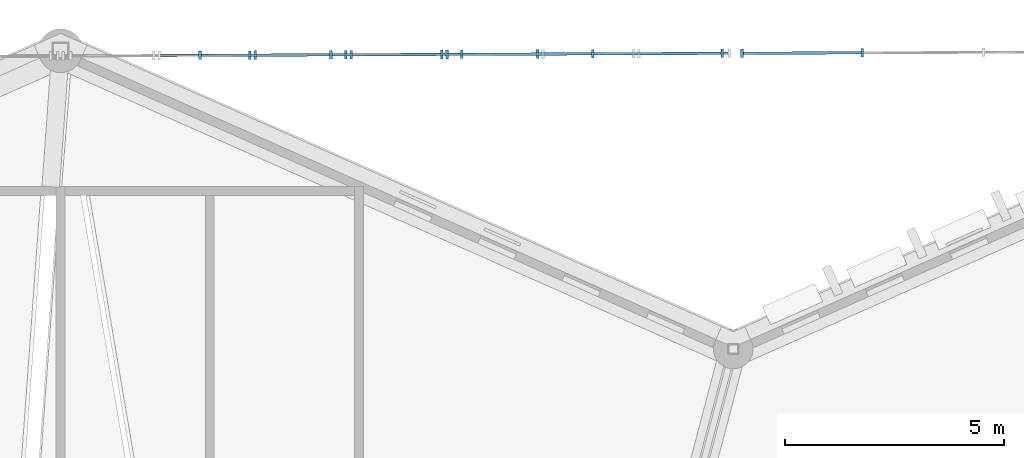
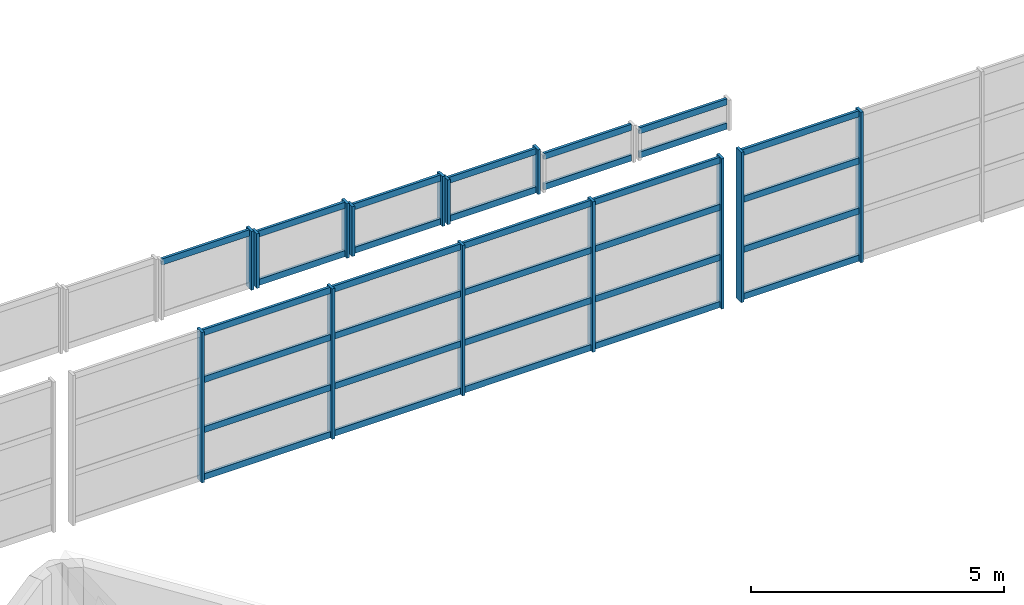
# One storey, part 173 of 344: 45 members, 8 elements without a shape of their own.
"""IFC4 building model written with IfcOpenShell, lengths in metres."""

from ifc_helpers import new_model, si_unit, direction, frame, origin, origin_2d, place, context, subcontext, project, spatial, rectangle, extrude, material, layer, layer_set, material_profile, profile_set, type_object, element, aggregate, save


model = new_model("IFC4")

# Units and contexts
model_context = context("Model", 3, precision=1e-05, world=origin(), true_north=direction((0.0, 1.0)))
body_context = subcontext(model_context, "Body", "Model", "MODEL_VIEW")
ifc_project = project(units=[si_unit("LENGTHUNIT", "METRE"), si_unit("AREAUNIT", "SQUARE_METRE"), si_unit("VOLUMEUNIT", "CUBIC_METRE"), si_unit("PLANEANGLEUNIT", "RADIAN"), si_unit("MASSUNIT", "GRAM", prefix="KILO")], contexts=[model_context])

# Site, building, storey
site_placement = place(None, origin())
site = spatial("IfcSite", under=ifc_project, at=site_placement, CompositionType="ELEMENT")
building_placement = place(site_placement, origin())
building = spatial("IfcBuilding", under=site, at=building_placement, Name="Meseta Stadium", CompositionType="ELEMENT")
storey_placement = place(building_placement, frame((0.0, 0.0, 24.0)))
storey = spatial("IfcBuildingStorey", under=building, at=storey_placement, Name="L04", CompositionType="ELEMENT", Elevation=24.0)

# Curtain wall, members
ifc_material_1 = material(Name="Aluminium", Category="aluminium")
ifc_layer = layer(ifc_material_1, 0.199951171875)
ifc_layer_set = layer_set([ifc_layer], Name="Gable glazing curtain wall")
curtain_wall_type = type_object("IfcCurtainWallType", Name="Gable glazing curtain wall", PredefinedType="NOTDEFINED", material=ifc_layer_set)
curtain_wall_1_placement = place(storey_placement, origin())
curtain_wall_1 = element("IfcCurtainWall", 1, at=curtain_wall_1_placement, inside=storey, type_object=curtain_wall_type, Name="Gable glazing north bay 10", PredefinedType="NOTDEFINED")
ifc_material_2 = material(Name="Aluminium", Category="aluminium")
ifc_material_profile_1 = material_profile(ifc_material_2, rectangle(XDim=0.199951171875, YDim=0.06005859375, at=origin_2d()), Name="CW 200x60")
ifc_profile_set_1 = profile_set([ifc_material_profile_1], Name="Aluminium")
member_type_1 = type_object("IfcMemberType", Name="CW mullion 60x200", PredefinedType="MULLION", material=ifc_profile_set_1)
member_1_placement = place(storey_placement, frame((18.53857421875, 105.32373046875, 21.85498046875), z_axis=(0.0, 0.0, 1.0), x_axis=(0.003847534233, -0.999992598213, 0.0)))
member_1 = element("IfcMember", 2, at=member_1_placement, type_object=member_type_1, Name="CWG mullion 1", PredefinedType="MULLION", context=body_context, shape_type="SweptSolid", body=[
    extrude(rectangle(XDim=0.199951171875, YDim=0.06005859375, at=origin_2d()), origin(), (0.0, 0.0, 1.0), 1.07861328125),
])
member_2_placement = place(storey_placement, frame((16.475830078125, 105.31591796875, 21.85498046875), z_axis=(0.0, 0.0, 1.0), x_axis=(0.003847534233, -0.999992598213, 0.0)))
member_2 = element("IfcMember", 3, at=member_2_placement, type_object=member_type_1, Name="CWG mullion 2", PredefinedType="MULLION", context=body_context, shape_type="SweptSolid", body=[
    extrude(rectangle(XDim=0.199951171875, YDim=0.06005859375, at=origin_2d()), origin(), (0.0, 0.0, 1.0), 1.07861328125),
])

curtain_wall_2_placement = place(storey_placement, origin())
curtain_wall_2 = element("IfcCurtainWall", 4, at=curtain_wall_2_placement, inside=storey, type_object=curtain_wall_type, Name="Gable glazing north bay 11", PredefinedType="NOTDEFINED")
member_3_placement = place(storey_placement, frame((16.35205078125, 105.3154296875, 21.85498046875), z_axis=(0.0, 0.0, 1.0), x_axis=(0.003847534233, -0.999992598213, 0.0)))
member_3 = element("IfcMember", 5, at=member_3_placement, type_object=member_type_1, Name="CWG mullion 1", PredefinedType="MULLION", context=body_context, shape_type="SweptSolid", body=[
    extrude(rectangle(XDim=0.199951171875, YDim=0.06005859375, at=origin_2d()), origin(), (0.0, 0.0, 1.0), 1.20556640625),
])
member_4_placement = place(storey_placement, frame((14.289306640625, 105.307373046875, 21.85498046875), z_axis=(0.0, 0.0, 1.0), x_axis=(0.003847534233, -0.999992598213, 0.0)))
member_4 = element("IfcMember", 6, at=member_4_placement, type_object=member_type_1, Name="CWG mullion 2", PredefinedType="MULLION", context=body_context, shape_type="SweptSolid", body=[
    extrude(rectangle(XDim=0.199951171875, YDim=0.06005859375, at=origin_2d()), origin(), (0.0, 0.0, 1.0), 1.20556640625),
])

curtain_wall_3_placement = place(storey_placement, origin())
curtain_wall_3 = element("IfcCurtainWall", 7, at=curtain_wall_3_placement, inside=storey, type_object=curtain_wall_type, Name="Gable glazing north bay 12", PredefinedType="NOTDEFINED")
member_5_placement = place(storey_placement, frame((14.165283203125, 105.30712890625, 21.85498046875), z_axis=(0.0, 0.0, 1.0), x_axis=(0.003847534233, -0.999992598213, 0.0)))
member_5 = element("IfcMember", 8, at=member_5_placement, type_object=member_type_1, Name="CWG mullion 1", PredefinedType="MULLION", context=body_context, shape_type="SweptSolid", body=[
    extrude(rectangle(XDim=0.199951171875, YDim=0.06005859375, at=origin_2d()), origin(), (0.0, 0.0, 1.0), 1.320068359375),
])
member_6_placement = place(storey_placement, frame((12.1025390625, 105.299072265625, 21.85498046875), z_axis=(0.0, 0.0, 1.0), x_axis=(0.003847534233, -0.999992598213, 0.0)))
member_6 = element("IfcMember", 9, at=member_6_placement, type_object=member_type_1, Name="CWG mullion 2", PredefinedType="MULLION", context=body_context, shape_type="SweptSolid", body=[
    extrude(rectangle(XDim=0.199951171875, YDim=0.06005859375, at=origin_2d()), origin(), (0.0, 0.0, 1.0), 1.320068359375),
])

# Curtain wall, member
curtain_wall_4_placement = place(storey_placement, origin())
curtain_wall_4 = element("IfcCurtainWall", 10, at=curtain_wall_4_placement, inside=storey, type_object=curtain_wall_type, Name="Gable glazing north bay 13", PredefinedType="NOTDEFINED")
member_7_placement = place(storey_placement, frame((11.978515625, 105.298583984375, 21.85498046875), z_axis=(0.0, 0.0, 1.0), x_axis=(0.003847534233, -0.999992598213, 0.0)))
member_7 = element("IfcMember", 11, at=member_7_placement, type_object=member_type_1, Name="CWG mullion 1", PredefinedType="MULLION", context=body_context, shape_type="SweptSolid", body=[
    extrude(rectangle(XDim=0.199951171875, YDim=0.06005859375, at=origin_2d()), origin(), (0.0, 0.0, 1.0), 1.422607421875),
])

# Curtain wall, members
curtain_wall_5_placement = place(storey_placement, origin())
curtain_wall_5 = element("IfcCurtainWall", 12, at=curtain_wall_5_placement, inside=storey, type_object=curtain_wall_type, Name="Gable glazing north lower bay 01", PredefinedType="NOTDEFINED")
member_8_placement = place(storey_placement, frame((25.93603515625, 105.352294921875, 17.60009765625), z_axis=(0.0, 0.0, 1.0), x_axis=(0.003847534181, -0.999992598213, 0.0)))
member_8 = element("IfcMember", 13, at=member_8_placement, type_object=member_type_1, Name="CWG mullion 5", PredefinedType="MULLION", context=body_context, shape_type="SweptSolid", body=[
    extrude(rectangle(XDim=0.199951171875, YDim=0.06005859375, at=origin_2d()), origin(), (0.0, 0.0, 1.0), 3.635009765625),
])
member_9_placement = place(storey_placement, frame((23.199462890625, 105.341796875, 17.60009765625), z_axis=(0.0, 0.0, 1.0), x_axis=(0.003847534181, -0.999992598213, 0.0)))
member_9 = element("IfcMember", 14, at=member_9_placement, type_object=member_type_1, Name="CWG mullion 6", PredefinedType="MULLION", context=body_context, shape_type="SweptSolid", body=[
    extrude(rectangle(XDim=0.199951171875, YDim=0.06005859375, at=origin_2d()), origin(), (0.0, 0.0, 1.0), 3.635009765625),
])

curtain_wall_6_placement = place(storey_placement, origin())
curtain_wall_6 = element("IfcCurtainWall", 15, at=curtain_wall_6_placement, inside=storey, type_object=curtain_wall_type, Name="Gable glazing north lower bay 02", PredefinedType="NOTDEFINED")
member_10_placement = place(storey_placement, frame((22.74853515625, 105.340087890625, 17.60009765625), z_axis=(0.0, 0.0, 1.0), x_axis=(0.003847534198, -0.999992598213, 0.0)))
member_10 = element("IfcMember", 16, at=member_10_placement, type_object=member_type_1, Name="CWG mullion 1", PredefinedType="MULLION", context=body_context, shape_type="SweptSolid", body=[
    extrude(rectangle(XDim=0.199951171875, YDim=0.06005859375, at=origin_2d()), origin(), (0.0, 0.0, 1.0), 3.635009765625),
])
member_11_placement = place(storey_placement, frame((19.79541015625, 105.32861328125, 17.60009765625), z_axis=(0.0, 0.0, 1.0), x_axis=(0.003847534198, -0.999992598213, 0.0)))
member_11 = element("IfcMember", 17, at=member_11_placement, type_object=member_type_1, Name="CWG mullion 2", PredefinedType="MULLION", context=body_context, shape_type="SweptSolid", body=[
    extrude(rectangle(XDim=0.199951171875, YDim=0.06005859375, at=origin_2d()), origin(), (0.0, 0.0, 1.0), 3.635009765625),
])
member_12_placement = place(storey_placement, frame((16.812255859375, 105.317138671875, 17.60009765625), z_axis=(0.0, 0.0, 1.0), x_axis=(0.003847534198, -0.999992598213, 0.0)))
member_12 = element("IfcMember", 18, at=member_12_placement, type_object=member_type_1, Name="CWG mullion 3", PredefinedType="MULLION", context=body_context, shape_type="SweptSolid", body=[
    extrude(rectangle(XDim=0.199951171875, YDim=0.06005859375, at=origin_2d()), origin(), (0.0, 0.0, 1.0), 3.635009765625),
])
member_13_placement = place(storey_placement, frame((13.8291015625, 105.3056640625, 17.60009765625), z_axis=(0.0, 0.0, 1.0), x_axis=(0.003847534198, -0.999992598213, 0.0)))
member_13 = element("IfcMember", 19, at=member_13_placement, type_object=member_type_1, Name="CWG mullion 4", PredefinedType="MULLION", context=body_context, shape_type="SweptSolid", body=[
    extrude(rectangle(XDim=0.199951171875, YDim=0.06005859375, at=origin_2d()), origin(), (0.0, 0.0, 1.0), 3.635009765625),
])
member_14_placement = place(storey_placement, frame((10.845703125, 105.294189453125, 17.60009765625), z_axis=(0.0, 0.0, 1.0), x_axis=(0.003847534198, -0.999992598213, 0.0)))
member_14 = element("IfcMember", 20, at=member_14_placement, type_object=member_type_1, Name="CWG mullion 5", PredefinedType="MULLION", context=body_context, shape_type="SweptSolid", body=[
    extrude(rectangle(XDim=0.199951171875, YDim=0.06005859375, at=origin_2d()), origin(), (0.0, 0.0, 1.0), 3.635009765625),
])

curtain_wall_7_placement = place(storey_placement, origin())
curtain_wall_7 = element("IfcCurtainWall", 21, at=curtain_wall_7_placement, inside=storey, type_object=curtain_wall_type, Name="Gable glazing north bay 08", PredefinedType="NOTDEFINED")
ifc_material_3 = material(Name="Aluminium", Category="aluminium")
ifc_material_profile_2 = material_profile(ifc_material_3, rectangle(XDim=0.06005859375, YDim=0.14990234375, at=origin_2d()), Name="CW 60x150")
ifc_profile_set_2 = profile_set([ifc_material_profile_2], Name="Aluminium")
member_type_2 = type_object("IfcMemberType", Name="CW transom 60x150", PredefinedType="USERDEFINED", material=ifc_profile_set_2)
member_15_placement = place(storey_placement, frame((22.882080078125, 105.340576171875, 21.929931640625), z_axis=(-0.99999239114, -0.003900982143, 0.0), x_axis=(0.003900982143, -0.99999239114, 0.0)))
member_15 = element("IfcMember", 22, at=member_15_placement, type_object=member_type_2, Name="CWG transom 1.1", ObjectType="TRANSOM", PredefinedType="USERDEFINED", context=body_context, shape_type="SweptSolid", body=[
    extrude(rectangle(XDim=0.06005859375, YDim=0.14990234375, at=origin_2d()), origin(), (0.0, 0.0, 1.0), 2.002685546875),
])
member_16_placement = place(storey_placement, frame((22.882080078125, 105.340576171875, 22.516845703125), z_axis=(-0.99999239114, -0.003900982143, 0.0), x_axis=(0.003900982143, -0.99999239114, 0.0)))
member_16 = element("IfcMember", 23, at=member_16_placement, type_object=member_type_2, Name="CWG transom 1.2", ObjectType="TRANSOM", PredefinedType="USERDEFINED", context=body_context, shape_type="SweptSolid", body=[
    extrude(rectangle(XDim=0.06005859375, YDim=0.14990234375, at=origin_2d()), origin(), (0.0, 0.0, 1.0), 2.002685546875),
])
aggregate(curtain_wall_7, [member_15, member_16])

curtain_wall_8_placement = place(storey_placement, origin())
curtain_wall_8 = element("IfcCurtainWall", 24, at=curtain_wall_8_placement, inside=storey, type_object=curtain_wall_type, Name="Gable glazing north bay 09", PredefinedType="NOTDEFINED")
member_17_placement = place(storey_placement, frame((20.6953125, 105.33203125, 21.929931640625), z_axis=(-0.999992859258, -0.00377907822, 0.0), x_axis=(0.00377907822, -0.999992859258, 0.0)))
member_17 = element("IfcMember", 25, at=member_17_placement, type_object=member_type_2, Name="CWG transom 1.1", ObjectType="TRANSOM", PredefinedType="USERDEFINED", context=body_context, shape_type="SweptSolid", body=[
    extrude(rectangle(XDim=0.06005859375, YDim=0.14990234375, at=origin_2d()), origin(), (0.0, 0.0, 1.0), 2.002685546875),
])
member_18_placement = place(storey_placement, frame((20.6953125, 105.33203125, 22.669189453125), z_axis=(-0.999992859258, -0.00377907822, 0.0), x_axis=(0.00377907822, -0.999992859258, 0.0)))
member_18 = element("IfcMember", 26, at=member_18_placement, type_object=member_type_2, Name="CWG transom 1.2", ObjectType="TRANSOM", PredefinedType="USERDEFINED", context=body_context, shape_type="SweptSolid", body=[
    extrude(rectangle(XDim=0.06005859375, YDim=0.14990234375, at=origin_2d()), origin(), (0.0, 0.0, 1.0), 2.002685546875),
])
aggregate(curtain_wall_8, [member_17, member_18])

# Member
member_19_placement = place(storey_placement, frame((18.508544921875, 105.32373046875, 21.929931640625), z_axis=(-0.99999239114, -0.003900982143, 0.0), x_axis=(0.003900982143, -0.99999239114, 0.0)))
member_19 = element("IfcMember", 27, at=member_19_placement, type_object=member_type_2, Name="CWG transom 1.1", ObjectType="TRANSOM", PredefinedType="USERDEFINED", context=body_context, shape_type="SweptSolid", body=[
    extrude(rectangle(XDim=0.06005859375, YDim=0.14990234375, at=origin_2d()), origin(), (0.0, 0.0, 1.0), 2.002685546875),
])

member_20_placement = place(storey_placement, frame((18.508544921875, 105.32373046875, 22.858642578125), z_axis=(-0.99999239114, -0.003900982143, 0.0), x_axis=(0.003900982143, -0.99999239114, 0.0)))
member_20 = element("IfcMember", 28, at=member_20_placement, type_object=member_type_2, Name="CWG transom 1.2", ObjectType="TRANSOM", PredefinedType="USERDEFINED", context=body_context, shape_type="SweptSolid", body=[
    extrude(rectangle(XDim=0.06005859375, YDim=0.14990234375, at=origin_2d()), origin(), (0.0, 0.0, 1.0), 2.002685546875),
])

aggregate(curtain_wall_1, [member_1, member_2, member_19, member_20])

member_21_placement = place(storey_placement, frame((16.322021484375, 105.3154296875, 21.929931640625), z_axis=(-0.99999239114, -0.003900982143, 0.0), x_axis=(0.003900982143, -0.99999239114, 0.0)))
member_21 = element("IfcMember", 29, at=member_21_placement, type_object=member_type_2, Name="CWG transom 1.1", ObjectType="TRANSOM", PredefinedType="USERDEFINED", context=body_context, shape_type="SweptSolid", body=[
    extrude(rectangle(XDim=0.06005859375, YDim=0.14990234375, at=origin_2d()), origin(), (0.0, 0.0, 1.0), 2.002685546875),
])

member_22_placement = place(storey_placement, frame((16.322021484375, 105.3154296875, 22.985595703125), z_axis=(-0.99999239114, -0.003900982143, 0.0), x_axis=(0.003900982143, -0.99999239114, 0.0)))
member_22 = element("IfcMember", 30, at=member_22_placement, type_object=member_type_2, Name="CWG transom 1.2", ObjectType="TRANSOM", PredefinedType="USERDEFINED", context=body_context, shape_type="SweptSolid", body=[
    extrude(rectangle(XDim=0.06005859375, YDim=0.14990234375, at=origin_2d()), origin(), (0.0, 0.0, 1.0), 2.002685546875),
])

aggregate(curtain_wall_2, [member_3, member_4, member_21, member_22])

member_23_placement = place(storey_placement, frame((14.13525390625, 105.306884765625, 21.929931640625), z_axis=(-0.99999239114, -0.003900982143, 0.0), x_axis=(0.003900982143, -0.99999239114, 0.0)))
member_23 = element("IfcMember", 31, at=member_23_placement, type_object=member_type_2, Name="CWG transom 1.1", ObjectType="TRANSOM", PredefinedType="USERDEFINED", context=body_context, shape_type="SweptSolid", body=[
    extrude(rectangle(XDim=0.06005859375, YDim=0.14990234375, at=origin_2d()), origin(), (0.0, 0.0, 1.0), 2.002685546875),
])

member_24_placement = place(storey_placement, frame((14.13525390625, 105.306884765625, 23.10009765625), z_axis=(-0.99999239114, -0.003900982143, 0.0), x_axis=(0.003900982143, -0.99999239114, 0.0)))
member_24 = element("IfcMember", 32, at=member_24_placement, type_object=member_type_2, Name="CWG transom 1.2", ObjectType="TRANSOM", PredefinedType="USERDEFINED", context=body_context, shape_type="SweptSolid", body=[
    extrude(rectangle(XDim=0.06005859375, YDim=0.14990234375, at=origin_2d()), origin(), (0.0, 0.0, 1.0), 2.002685546875),
])

aggregate(curtain_wall_3, [member_5, member_6, member_23, member_24])

member_25_placement = place(storey_placement, frame((11.948486328125, 105.298583984375, 23.20263671875), z_axis=(-0.99999239114, -0.003900982143, 0.0), x_axis=(0.003900982143, -0.99999239114, 0.0)))
member_25 = element("IfcMember", 33, at=member_25_placement, type_object=member_type_2, Name="CWG transom 1.2", ObjectType="TRANSOM", PredefinedType="USERDEFINED", context=body_context, shape_type="SweptSolid", body=[
    extrude(rectangle(XDim=0.06005859375, YDim=0.14990234375, at=origin_2d()), origin(), (0.0, 0.0, 1.0), 2.002685546875),
])

aggregate(curtain_wall_4, [member_7, member_25])

member_26_placement = place(storey_placement, frame((25.906005859375, 105.352294921875, 17.675048828125), z_axis=(-0.999992307933, -0.003922253876, 0.0), x_axis=(0.003922253876, -0.999992307933, 0.0)))
member_26 = element("IfcMember", 34, at=member_26_placement, type_object=member_type_2, Name="CWG transom 5.1", ObjectType="TRANSOM", PredefinedType="USERDEFINED", context=body_context, shape_type="SweptSolid", body=[
    extrude(rectangle(XDim=0.06005859375, YDim=0.14990234375, at=origin_2d()), origin(), (0.0, 0.0, 1.0), 2.676513671875),
])

member_27_placement = place(storey_placement, frame((25.906005859375, 105.352294921875, 18.811767578125), z_axis=(-0.999992307933, -0.003922253876, 0.0), x_axis=(0.003922253876, -0.999992307933, 0.0)))
member_27 = element("IfcMember", 35, at=member_27_placement, type_object=member_type_2, Name="CWG transom 5.2", ObjectType="TRANSOM", PredefinedType="USERDEFINED", context=body_context, shape_type="SweptSolid", body=[
    extrude(rectangle(XDim=0.06005859375, YDim=0.14990234375, at=origin_2d()), origin(), (0.0, 0.0, 1.0), 2.676513671875),
])

member_28_placement = place(storey_placement, frame((25.906005859375, 105.352294921875, 20.0234375), z_axis=(-0.999992307933, -0.003922253876, 0.0), x_axis=(0.003922253876, -0.999992307933, 0.0)))
member_28 = element("IfcMember", 36, at=member_28_placement, type_object=member_type_2, Name="CWG transom 5.3", ObjectType="TRANSOM", PredefinedType="USERDEFINED", context=body_context, shape_type="SweptSolid", body=[
    extrude(rectangle(XDim=0.06005859375, YDim=0.14990234375, at=origin_2d()), origin(), (0.0, 0.0, 1.0), 2.676513671875),
])

member_29_placement = place(storey_placement, frame((25.906005859375, 105.352294921875, 21.159912109375), z_axis=(-0.999992307933, -0.003922253876, 0.0), x_axis=(0.003922253876, -0.999992307933, 0.0)))
member_29 = element("IfcMember", 37, at=member_29_placement, type_object=member_type_2, Name="CWG transom 5.4", ObjectType="TRANSOM", PredefinedType="USERDEFINED", context=body_context, shape_type="SweptSolid", body=[
    extrude(rectangle(XDim=0.06005859375, YDim=0.14990234375, at=origin_2d()), origin(), (0.0, 0.0, 1.0), 2.676513671875),
])

aggregate(curtain_wall_5, [member_8, member_9, member_26, member_27, member_28, member_29])

member_30_placement = place(storey_placement, frame((22.718505859375, 105.33984375, 17.675048828125), z_axis=(-0.999992789695, -0.003797440974, 0.0), x_axis=(0.003797440974, -0.999992789695, 0.0)))
member_30 = element("IfcMember", 38, at=member_30_placement, type_object=member_type_2, Name="CWG transom 1.1", ObjectType="TRANSOM", PredefinedType="USERDEFINED", context=body_context, shape_type="SweptSolid", body=[
    extrude(rectangle(XDim=0.06005859375, YDim=0.14990234375, at=origin_2d()), origin(), (0.0, 0.0, 1.0), 2.89306640625),
])

member_31_placement = place(storey_placement, frame((22.718505859375, 105.33984375, 18.811767578125), z_axis=(-0.999992789695, -0.003797440974, 0.0), x_axis=(0.003797440974, -0.999992789695, 0.0)))
member_31 = element("IfcMember", 39, at=member_31_placement, type_object=member_type_2, Name="CWG transom 1.2", ObjectType="TRANSOM", PredefinedType="USERDEFINED", context=body_context, shape_type="SweptSolid", body=[
    extrude(rectangle(XDim=0.06005859375, YDim=0.14990234375, at=origin_2d()), origin(), (0.0, 0.0, 1.0), 2.89306640625),
])

member_32_placement = place(storey_placement, frame((22.718505859375, 105.33984375, 20.0234375), z_axis=(-0.999992789695, -0.003797440974, 0.0), x_axis=(0.003797440974, -0.999992789695, 0.0)))
member_32 = element("IfcMember", 40, at=member_32_placement, type_object=member_type_2, Name="CWG transom 1.3", ObjectType="TRANSOM", PredefinedType="USERDEFINED", context=body_context, shape_type="SweptSolid", body=[
    extrude(rectangle(XDim=0.06005859375, YDim=0.14990234375, at=origin_2d()), origin(), (0.0, 0.0, 1.0), 2.89306640625),
])

member_33_placement = place(storey_placement, frame((22.718505859375, 105.33984375, 21.159912109375), z_axis=(-0.999992789695, -0.003797440974, 0.0), x_axis=(0.003797440974, -0.999992789695, 0.0)))
member_33 = element("IfcMember", 41, at=member_33_placement, type_object=member_type_2, Name="CWG transom 1.4", ObjectType="TRANSOM", PredefinedType="USERDEFINED", context=body_context, shape_type="SweptSolid", body=[
    extrude(rectangle(XDim=0.06005859375, YDim=0.14990234375, at=origin_2d()), origin(), (0.0, 0.0, 1.0), 2.89306640625),
])

member_34_placement = place(storey_placement, frame((19.765380859375, 105.32861328125, 17.675048828125), z_axis=(-0.999992619685, -0.003841949428, 0.0), x_axis=(0.003841949428, -0.999992619685, 0.0)))
member_34 = element("IfcMember", 42, at=member_34_placement, type_object=member_type_2, Name="CWG transom 2.1", ObjectType="TRANSOM", PredefinedType="USERDEFINED", context=body_context, shape_type="SweptSolid", body=[
    extrude(rectangle(XDim=0.06005859375, YDim=0.14990234375, at=origin_2d()), origin(), (0.0, 0.0, 1.0), 2.923095703125),
])

member_35_placement = place(storey_placement, frame((19.765380859375, 105.32861328125, 18.811767578125), z_axis=(-0.999992619685, -0.003841949428, 0.0), x_axis=(0.003841949428, -0.999992619685, 0.0)))
member_35 = element("IfcMember", 43, at=member_35_placement, type_object=member_type_2, Name="CWG transom 2.2", ObjectType="TRANSOM", PredefinedType="USERDEFINED", context=body_context, shape_type="SweptSolid", body=[
    extrude(rectangle(XDim=0.06005859375, YDim=0.14990234375, at=origin_2d()), origin(), (0.0, 0.0, 1.0), 2.923095703125),
])

member_36_placement = place(storey_placement, frame((19.765380859375, 105.32861328125, 20.0234375), z_axis=(-0.999992619685, -0.003841949428, 0.0), x_axis=(0.003841949428, -0.999992619685, 0.0)))
member_36 = element("IfcMember", 44, at=member_36_placement, type_object=member_type_2, Name="CWG transom 2.3", ObjectType="TRANSOM", PredefinedType="USERDEFINED", context=body_context, shape_type="SweptSolid", body=[
    extrude(rectangle(XDim=0.06005859375, YDim=0.14990234375, at=origin_2d()), origin(), (0.0, 0.0, 1.0), 2.923095703125),
])

member_37_placement = place(storey_placement, frame((19.765380859375, 105.32861328125, 21.159912109375), z_axis=(-0.999992619685, -0.003841949428, 0.0), x_axis=(0.003841949428, -0.999992619685, 0.0)))
member_37 = element("IfcMember", 45, at=member_37_placement, type_object=member_type_2, Name="CWG transom 2.4", ObjectType="TRANSOM", PredefinedType="USERDEFINED", context=body_context, shape_type="SweptSolid", body=[
    extrude(rectangle(XDim=0.06005859375, YDim=0.14990234375, at=origin_2d()), origin(), (0.0, 0.0, 1.0), 2.923095703125),
])

member_38_placement = place(storey_placement, frame((16.7822265625, 105.317138671875, 17.675048828125), z_axis=(-0.999992620918, -0.003841628575, 0.0), x_axis=(0.003841628575, -0.999992620918, 0.0)))
member_38 = element("IfcMember", 46, at=member_38_placement, type_object=member_type_2, Name="CWG transom 3.1", ObjectType="TRANSOM", PredefinedType="USERDEFINED", context=body_context, shape_type="SweptSolid", body=[
    extrude(rectangle(XDim=0.06005859375, YDim=0.14990234375, at=origin_2d()), origin(), (0.0, 0.0, 1.0), 2.92333984375),
])

member_39_placement = place(storey_placement, frame((16.7822265625, 105.317138671875, 18.811767578125), z_axis=(-0.999992620918, -0.003841628575, 0.0), x_axis=(0.003841628575, -0.999992620918, 0.0)))
member_39 = element("IfcMember", 47, at=member_39_placement, type_object=member_type_2, Name="CWG transom 3.2", ObjectType="TRANSOM", PredefinedType="USERDEFINED", context=body_context, shape_type="SweptSolid", body=[
    extrude(rectangle(XDim=0.06005859375, YDim=0.14990234375, at=origin_2d()), origin(), (0.0, 0.0, 1.0), 2.92333984375),
])

member_40_placement = place(storey_placement, frame((16.7822265625, 105.317138671875, 20.0234375), z_axis=(-0.999992620918, -0.003841628575, 0.0), x_axis=(0.003841628575, -0.999992620918, 0.0)))
member_40 = element("IfcMember", 48, at=member_40_placement, type_object=member_type_2, Name="CWG transom 3.3", ObjectType="TRANSOM", PredefinedType="USERDEFINED", context=body_context, shape_type="SweptSolid", body=[
    extrude(rectangle(XDim=0.06005859375, YDim=0.14990234375, at=origin_2d()), origin(), (0.0, 0.0, 1.0), 2.92333984375),
])

member_41_placement = place(storey_placement, frame((16.7822265625, 105.317138671875, 21.159912109375), z_axis=(-0.999992620918, -0.003841628575, 0.0), x_axis=(0.003841628575, -0.999992620918, 0.0)))
member_41 = element("IfcMember", 49, at=member_41_placement, type_object=member_type_2, Name="CWG transom 3.4", ObjectType="TRANSOM", PredefinedType="USERDEFINED", context=body_context, shape_type="SweptSolid", body=[
    extrude(rectangle(XDim=0.06005859375, YDim=0.14990234375, at=origin_2d()), origin(), (0.0, 0.0, 1.0), 2.92333984375),
])

member_42_placement = place(storey_placement, frame((13.799072265625, 105.3056640625, 17.675048828125), z_axis=(-0.999992620918, -0.003841628575, 0.0), x_axis=(0.003841628575, -0.999992620918, 0.0)))
member_42 = element("IfcMember", 50, at=member_42_placement, type_object=member_type_2, Name="CWG transom 4.1", ObjectType="TRANSOM", PredefinedType="USERDEFINED", context=body_context, shape_type="SweptSolid", body=[
    extrude(rectangle(XDim=0.06005859375, YDim=0.14990234375, at=origin_2d()), origin(), (0.0, 0.0, 1.0), 2.92333984375),
])

member_43_placement = place(storey_placement, frame((13.799072265625, 105.3056640625, 18.811767578125), z_axis=(-0.999992620918, -0.003841628575, 0.0), x_axis=(0.003841628575, -0.999992620918, 0.0)))
member_43 = element("IfcMember", 51, at=member_43_placement, type_object=member_type_2, Name="CWG transom 4.2", ObjectType="TRANSOM", PredefinedType="USERDEFINED", context=body_context, shape_type="SweptSolid", body=[
    extrude(rectangle(XDim=0.06005859375, YDim=0.14990234375, at=origin_2d()), origin(), (0.0, 0.0, 1.0), 2.92333984375),
])

member_44_placement = place(storey_placement, frame((13.799072265625, 105.3056640625, 20.0234375), z_axis=(-0.999992620918, -0.003841628575, 0.0), x_axis=(0.003841628575, -0.999992620918, 0.0)))
member_44 = element("IfcMember", 52, at=member_44_placement, type_object=member_type_2, Name="CWG transom 4.3", ObjectType="TRANSOM", PredefinedType="USERDEFINED", context=body_context, shape_type="SweptSolid", body=[
    extrude(rectangle(XDim=0.06005859375, YDim=0.14990234375, at=origin_2d()), origin(), (0.0, 0.0, 1.0), 2.92333984375),
])

member_45_placement = place(storey_placement, frame((13.799072265625, 105.3056640625, 21.159912109375), z_axis=(-0.999992620918, -0.003841628575, 0.0), x_axis=(0.003841628575, -0.999992620918, 0.0)))
member_45 = element("IfcMember", 53, at=member_45_placement, type_object=member_type_2, Name="CWG transom 4.4", ObjectType="TRANSOM", PredefinedType="USERDEFINED", context=body_context, shape_type="SweptSolid", body=[
    extrude(rectangle(XDim=0.06005859375, YDim=0.14990234375, at=origin_2d()), origin(), (0.0, 0.0, 1.0), 2.92333984375),
])

aggregate(curtain_wall_6, [member_10, member_11, member_12, member_13, member_14, member_30, member_31, member_32, member_33, member_34, member_35, member_36, member_37, member_38, member_39, member_40, member_41, member_42, member_43, member_44, member_45])

save(model, "model.ifc")
